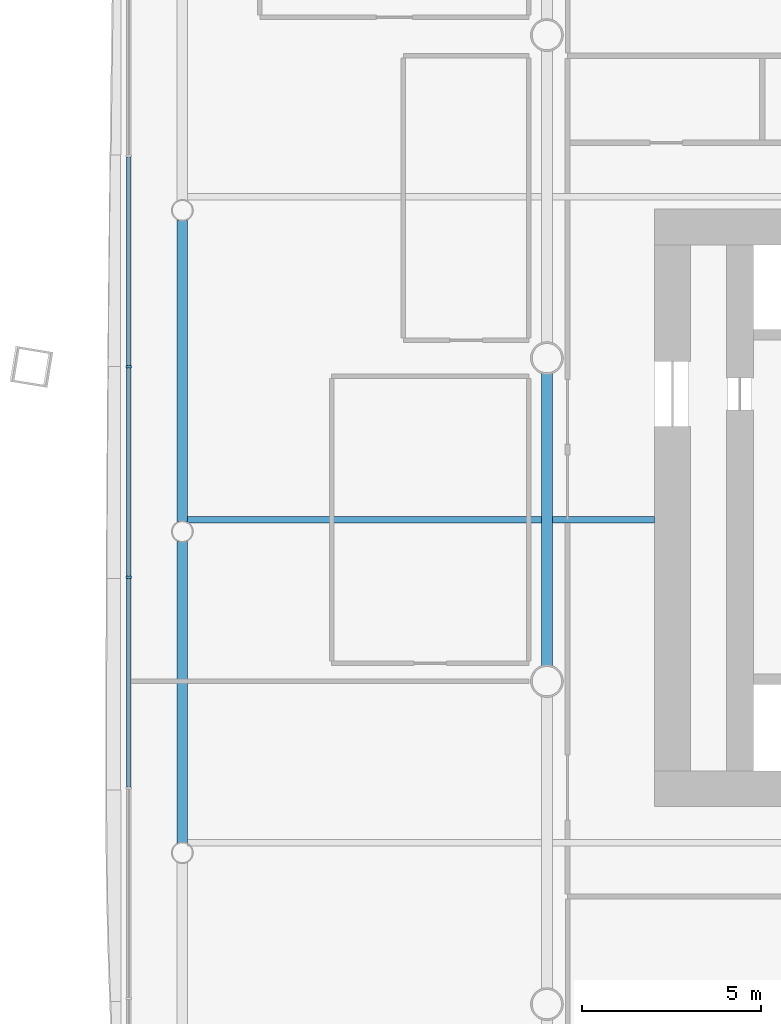
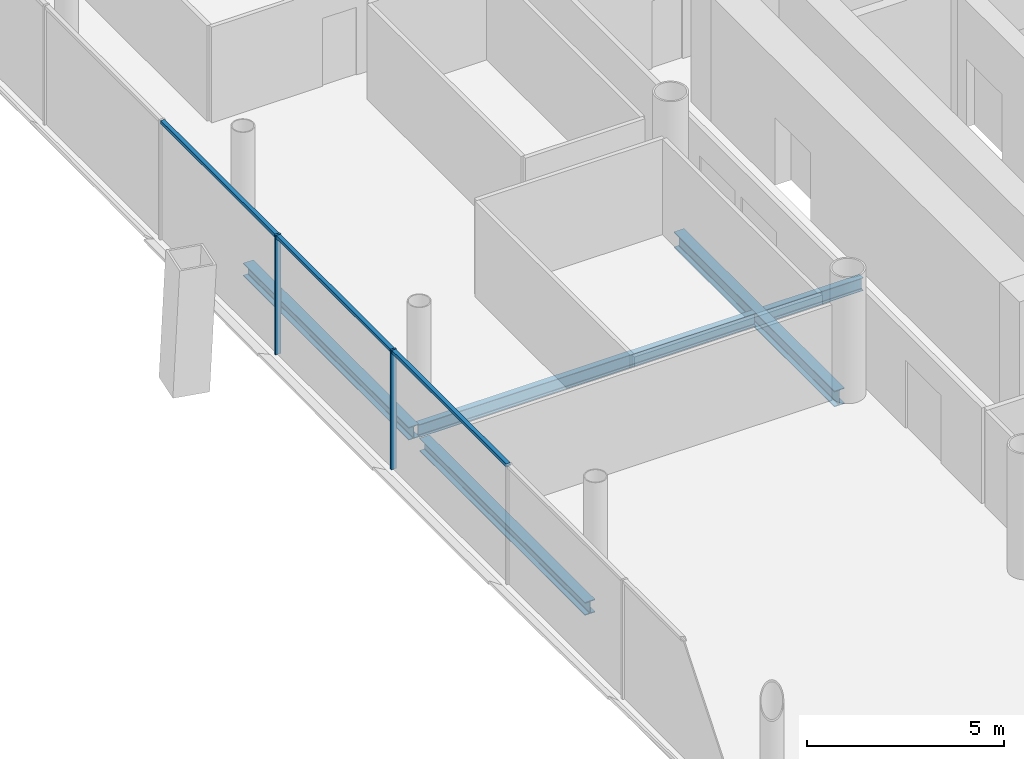
# One storey, part 4 of 21: 5 beams, 5 members, 1 element without a shape of its own.
"""IFC4 building model written with IfcOpenShell, lengths in metres."""

from ifc_helpers import new_model, si_unit, direction, frame, origin, origin_2d, place, context, subcontext, project, spatial, rectangle, i_section, extrude, material, material_profile, profile_set, type_object, element, aggregate, save


model = new_model("IFC4")

# Units and contexts
model_context = context("Model", 3, precision=1e-05, world=origin(), true_north=direction((0.0, 1.0)))
body_context = subcontext(model_context, "Body", "Model", "MODEL_VIEW")
ifc_project = project(units=[si_unit("LENGTHUNIT", "METRE"), si_unit("AREAUNIT", "SQUARE_METRE"), si_unit("VOLUMEUNIT", "CUBIC_METRE"), si_unit("PLANEANGLEUNIT", "RADIAN"), si_unit("MASSUNIT", "GRAM", prefix="KILO")], contexts=[model_context])

# Site, building, storey
site_placement = place(None, origin())
site = spatial("IfcSite", under=ifc_project, at=site_placement, CompositionType="ELEMENT")
building_placement = place(site_placement, origin())
building = spatial("IfcBuilding", under=site, at=building_placement, Name="Tskaro Facet Tower", CompositionType="ELEMENT")
storey_placement = place(building_placement, frame((0.0, 0.0, 42.0)))
storey = spatial("IfcBuildingStorey", under=building, at=storey_placement, Name="L09", CompositionType="ELEMENT", Elevation=42.0)

# Curtain wall, members
ifc_material_1 = material(Name="Bronze anodised aluminium 6063-T6", Category="aluminium")
curtain_wall_type = type_object("IfcCurtainWallType", Name="Bronze office curtain wall (FW1)", PredefinedType="NOTDEFINED", material=ifc_material_1)
curtain_wall_placement = place(storey_placement, origin())
curtain_wall = element("IfcCurtainWall", 1, at=curtain_wall_placement, inside=storey, type_object=curtain_wall_type, Name="FW1 west facet L09", PredefinedType="NOTDEFINED")
ifc_material_profile_1 = material_profile(ifc_material_1, rectangle(XDim=0.06005859375, YDim=0.159912109375, at=origin_2d()), Name="Mullion 60x160")
ifc_profile_set_1 = profile_set([ifc_material_profile_1], Name="Bronze anodised aluminium 6063-T6")
member_type_1 = type_object("IfcMemberType", Name="FW1 bronze mullion 60x160", PredefinedType="MULLION", material=ifc_profile_set_1)
member_1_placement = place(storey_placement, frame((-29.654052734375, -0.239013671875, 0.0), z_axis=(0.0, 0.0, 1.0), x_axis=(0.0, -1.0, 0.0)))
member_1 = element("IfcMember", 2, at=member_1_placement, type_object=member_type_1, Name="FW1 west mullion 4", PredefinedType="MULLION", context=body_context, shape_type="SweptSolid", body=[
    extrude(rectangle(XDim=0.06005859375, YDim=0.159912109375, at=origin_2d()), origin(), (0.0, 0.0, 1.0), 3.699951171875),
])
member_2_placement = place(storey_placement, frame((-29.654052734375, -6.107421875, 0.0), z_axis=(0.0, 0.0, 1.0), x_axis=(0.0, -1.0, 0.0)))
member_2 = element("IfcMember", 3, at=member_2_placement, type_object=member_type_1, Name="FW1 west mullion 5", PredefinedType="MULLION", context=body_context, shape_type="SweptSolid", body=[
    extrude(rectangle(XDim=0.06005859375, YDim=0.159912109375, at=origin_2d()), origin(), (0.0, 0.0, 1.0), 3.699951171875),
])
ifc_material_profile_2 = material_profile(ifc_material_1, rectangle(XDim=0.1201171875, YDim=0.10009765625, at=origin_2d()), Name="Transom 120x100")
ifc_profile_set_2 = profile_set([ifc_material_profile_2], Name="Bronze anodised aluminium 6063-T6")
member_type_2 = type_object("IfcMemberType", Name="FW1 bronze transom 120x100", PredefinedType="USERDEFINED", material=ifc_profile_set_2)
member_3_placement = place(storey_placement, frame((-29.654052734375, 5.599609375, 3.64990234375), z_axis=(0.0, -1.0, 0.0), x_axis=(1.0, 0.0, 0.0)))
member_3 = element("IfcMember", 4, at=member_3_placement, type_object=member_type_2, Name="FW1 west transom 4.1", ObjectType="TRANSOM", PredefinedType="USERDEFINED", context=body_context, shape_type="SweptSolid", body=[
    extrude(rectangle(XDim=0.1201171875, YDim=0.10009765625, at=origin_2d()), origin(), (0.0, 0.0, 1.0), 5.80859375),
])
member_4_placement = place(storey_placement, frame((-29.654052734375, -0.26904296875, 3.64990234375), z_axis=(0.0, -1.0, 0.0), x_axis=(1.0, 0.0, 0.0)))
member_4 = element("IfcMember", 5, at=member_4_placement, type_object=member_type_2, Name="FW1 west transom 5.1", ObjectType="TRANSOM", PredefinedType="USERDEFINED", context=body_context, shape_type="SweptSolid", body=[
    extrude(rectangle(XDim=0.1201171875, YDim=0.10009765625, at=origin_2d()), origin(), (0.0, 0.0, 1.0), 5.808349609375),
])
member_5_placement = place(storey_placement, frame((-29.654052734375, -6.137451171875, 3.64990234375), z_axis=(0.0, -1.0, 0.0), x_axis=(1.0, 0.0, 0.0)))
member_5 = element("IfcMember", 6, at=member_5_placement, type_object=member_type_2, Name="FW1 west transom 6.1", ObjectType="TRANSOM", PredefinedType="USERDEFINED", context=body_context, shape_type="SweptSolid", body=[
    extrude(rectangle(XDim=0.1201171875, YDim=0.10009765625, at=origin_2d()), origin(), (0.0, 0.0, 1.0), 5.80859375),
])
aggregate(curtain_wall, [member_1, member_2, member_3, member_4, member_5])

# Beams
ifc_material_2 = material(Name="Steel S355J2", Category="steel")
ifc_material_profile_3 = material_profile(ifc_material_2, i_section(OverallWidth=0.300048828125, OverallDepth=0.39990234375, WebThickness=0.013427734375, FlangeThickness=0.02392578125, FilletRadius=0.027099609375, at=origin_2d()), Name="HE 400 B")
ifc_profile_set_3 = profile_set([ifc_material_profile_3], Name="Steel S355J2")
beam_type_1 = type_object("IfcBeamType", Name="HE 400 B ring beam", PredefinedType="BEAM", material=ifc_profile_set_3)
beam_1_placement = place(storey_placement, frame((-28.156982421875, 3.841064453125, -0.340087890625), z_axis=(0.0, -1.0, 0.0), x_axis=(1.0, 0.0, 0.0)))
element("IfcBeam", 7, at=beam_1_placement, inside=storey, type_object=beam_type_1, Name="HE 400 B EB22-1", PredefinedType="BEAM", context=body_context, shape_type="SweptSolid", body=[
    extrude(i_section(OverallWidth=0.300048828125, OverallDepth=0.39990234375, WebThickness=0.013427734375, FlangeThickness=0.02392578125, FilletRadius=0.027099609375, at=origin_2d()), origin(), (0.0, 0.0, 1.0), 8.399169921875),
])
beam_2_placement = place(storey_placement, frame((-28.156982421875, -5.10791015625, -0.340087890625), z_axis=(0.0, -1.0, 0.0), x_axis=(1.0, 0.0, 0.0)))
element("IfcBeam", 8, at=beam_2_placement, inside=storey, type_object=beam_type_1, Name="HE 400 B EB23-1", PredefinedType="BEAM", context=body_context, shape_type="SweptSolid", body=[
    extrude(i_section(OverallWidth=0.300048828125, OverallDepth=0.39990234375, WebThickness=0.013427734375, FlangeThickness=0.02392578125, FilletRadius=0.027099609375, at=origin_2d()), origin(), (0.0, 0.0, 1.0), 8.398193359375),
])
ifc_material_profile_4 = material_profile(ifc_material_2, i_section(OverallWidth=0.300048828125, OverallDepth=0.489990234375, WebThickness=0.011962890625, FlangeThickness=0.02294921875, FilletRadius=0.027099609375, at=origin_2d()), Name="HE 500 A")
ifc_profile_set_4 = profile_set([ifc_material_profile_4], Name="Steel S355J2")
beam_type_2 = type_object("IfcBeamType", Name="HE 500 A girder", PredefinedType="BEAM", material=ifc_profile_set_4)
beam_3_placement = place(storey_placement, frame((-18.0, -8.57275390625, -0.385009765625), z_axis=(0.0, 1.0, 0.0), x_axis=(-1.0, 0.0, 0.0)))
element("IfcBeam", 9, at=beam_3_placement, inside=storey, type_object=beam_type_2, Name="HE 500 A GB2-3-1", PredefinedType="BEAM", context=body_context, shape_type="SweptSolid", body=[
    extrude(i_section(OverallWidth=0.300048828125, OverallDepth=0.489990234375, WebThickness=0.011962890625, FlangeThickness=0.02294921875, FilletRadius=0.027099609375, at=origin_2d()), origin(), (0.0, 0.0, 1.0), 8.1455078125),
])
ifc_material_profile_5 = material_profile(ifc_material_2, i_section(OverallWidth=0.179931640625, OverallDepth=0.39990234375, WebThickness=0.008544921875, FlangeThickness=0.013427734375, FilletRadius=0.02099609375, at=origin_2d()), Name="IPE 400")
ifc_profile_set_5 = profile_set([ifc_material_profile_5], Name="Steel S355J2")
beam_type_3 = type_object("IfcBeamType", Name="IPE 400 secondary beam", PredefinedType="BEAM", material=ifc_profile_set_5)
beam_4_placement = place(storey_placement, frame((-28.007080078125, -4.5, -0.340087890625), z_axis=(1.0, 0.0, 0.0), x_axis=(0.0, 1.0, 0.0)))
element("IfcBeam", 10, at=beam_4_placement, inside=storey, type_object=beam_type_3, Name="IPE 400 SB3a-1-1", PredefinedType="BEAM", context=body_context, shape_type="SweptSolid", body=[
    extrude(i_section(OverallWidth=0.179931640625, OverallDepth=0.39990234375, WebThickness=0.008544921875, FlangeThickness=0.013427734375, FilletRadius=0.02099609375, at=origin_2d()), origin(), (0.0, 0.0, 1.0), 9.857177734375),
])
beam_5_placement = place(storey_placement, frame((-17.85009765625, -4.5, -0.340087890625), z_axis=(1.0, 0.0, 0.0), x_axis=(0.0, 1.0, 0.0)))
element("IfcBeam", 11, at=beam_5_placement, inside=storey, type_object=beam_type_3, Name="IPE 400 SB3a-2-1", PredefinedType="BEAM", context=body_context, shape_type="SweptSolid", body=[
    extrude(i_section(OverallWidth=0.179931640625, OverallDepth=0.39990234375, WebThickness=0.008544921875, FlangeThickness=0.013427734375, FilletRadius=0.02099609375, at=origin_2d()), origin(), (0.0, 0.0, 1.0), 2.85009765625),
])

save(model, "model.ifc")
